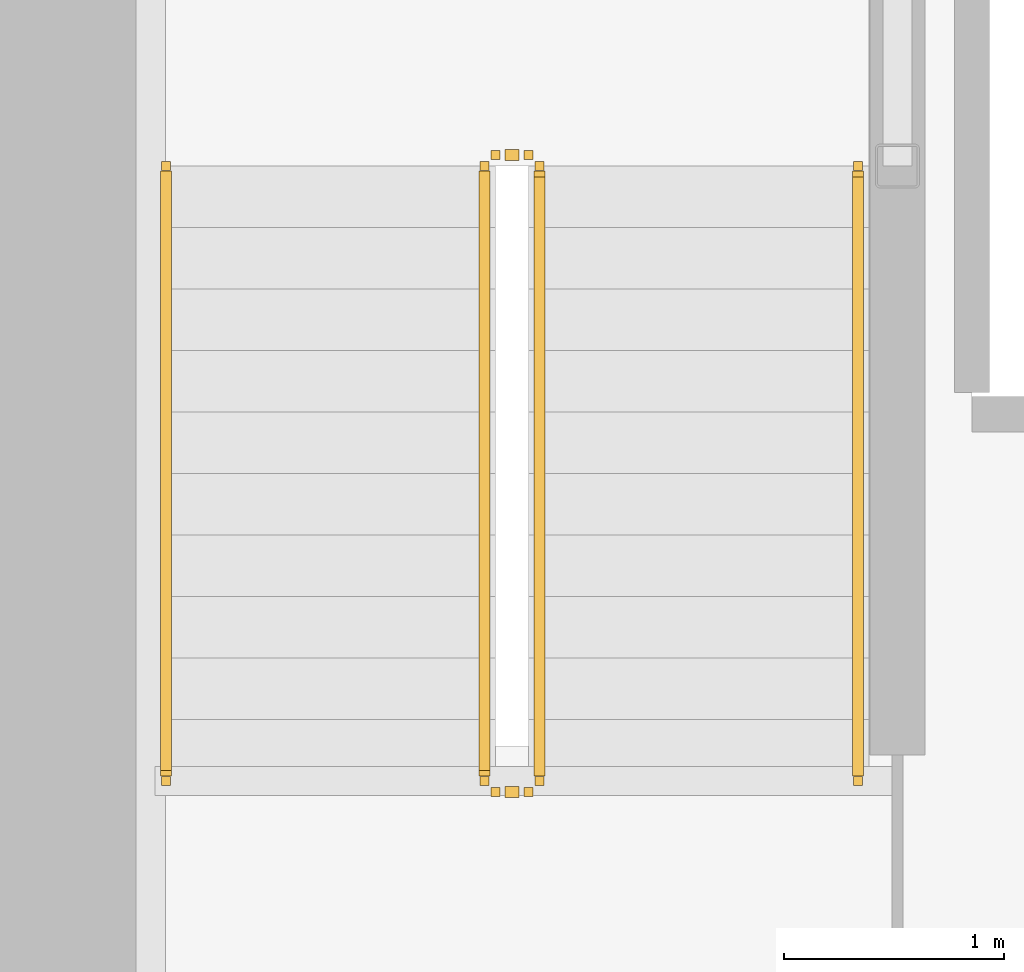
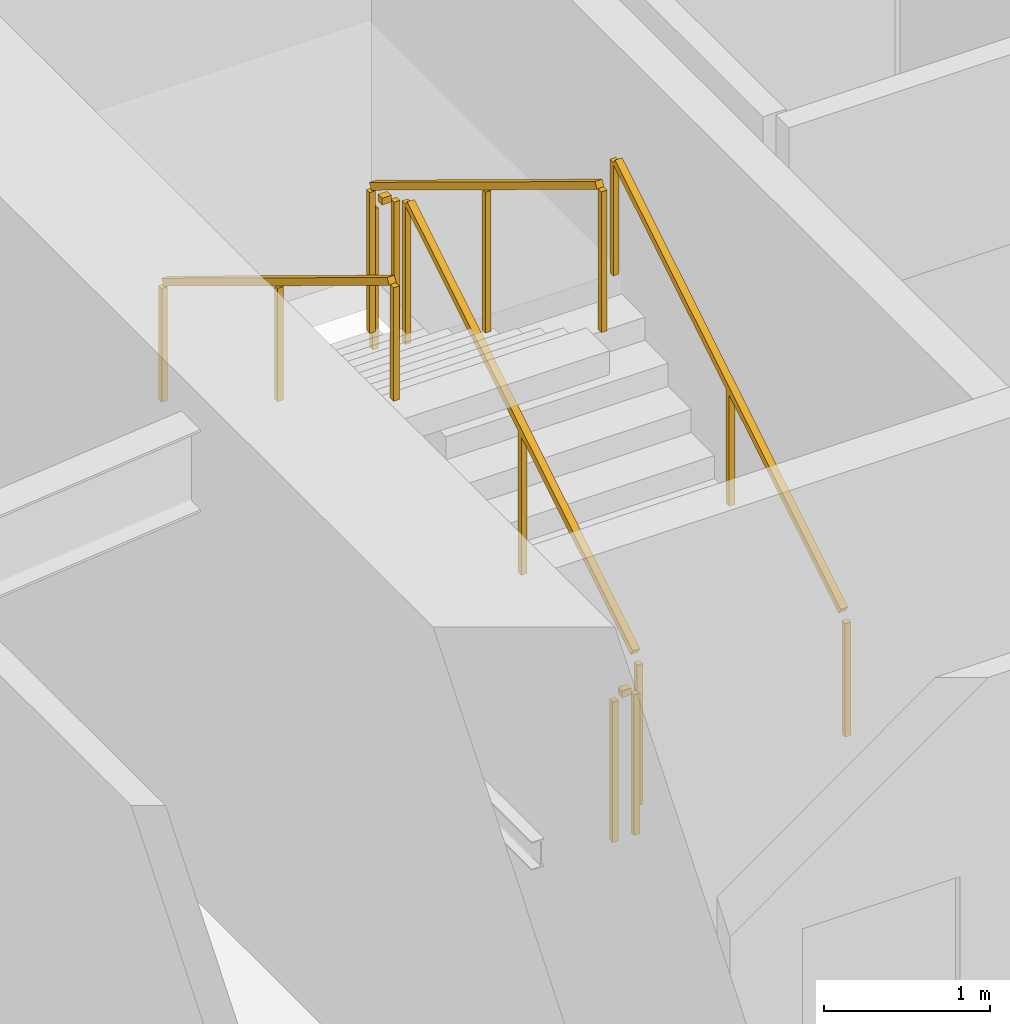
# One storey, part 26 of 31: 6 railings.
"""IFC4 building model written with IfcOpenShell, lengths in metres."""

import ifcopenshell
import ifcopenshell.guid

model = None  # the IFC model being written
_history = None  # IfcOwnerHistory: only IFC2X3 demands one
_inside = {}  # id of a spatial element -> (the spatial element, [elements in it])
_under = {}  # id of a project, library or spatial element -> (it, [spatial elements below it])
_declared = {}  # id of a project -> (the project, [libraries it declares])
_typed = {}  # id of a type object -> (the type object, [elements of that type])
_made_of = {}  # id of a material, layer set ... -> (it, [elements and type objects made of it])


def new_model(schema):
    """Start an empty IFC model of exactly this schema.

    Asked for "IFC4X3", IfcOpenShell would pick the latest addendum, in which some entities
    have other attributes; the version numbers below select the first issue.
    IFC2X3 requires an IfcOwnerHistory on every rooted entity: one is made here for all.
    """
    global model, _history
    if schema == "IFC4X3":
        model = ifcopenshell.file(schema_version=(4, 3, 0, 0))
    else:
        model = ifcopenshell.file(schema=schema)
    _inside.clear()
    _under.clear()
    _declared.clear()
    _typed.clear()
    _made_of.clear()
    _history = None
    if model.schema == "IFC2X3":
        org = make("IfcOrganization", Name="unknown")
        user = make(
            "IfcPersonAndOrganization",
            ThePerson=make("IfcPerson", FamilyName="unknown"),
            TheOrganization=org,
        )
        app = make(
            "IfcApplication",
            ApplicationDeveloper=org,
            Version="unknown",
            ApplicationFullName="unknown",
            ApplicationIdentifier="unknown",
        )
        _history = make(
            "IfcOwnerHistory",
            OwningUser=user,
            OwningApplication=app,
            ChangeAction="ADDED",
            CreationDate=0,
        )
    return model


def make(cls, **values):
    """One entity of the class cls with the attributes given. An attribute that is None is left unset."""
    return model.create_entity(
        cls, **{name: value for name, value in values.items() if value is not None}
    )


def rooted(cls, **values):
    """An entity with a GlobalId (a new one), such as an element, a storey or a relation."""
    return make(cls, GlobalId=ifcopenshell.guid.new(), OwnerHistory=_history, **values)


def si_unit(unit_type, name, prefix=None):
    """IfcSIUnit, for example si_unit("LENGTHUNIT", "METRE", prefix="MILLI")."""
    return make("IfcSIUnit", UnitType=unit_type, Prefix=prefix, Name=name)


def assignment(units):
    """IfcUnitAssignment: the units of a project."""
    return None if units is None else make("IfcUnitAssignment", Units=units)


def point(xyz):
    """IfcCartesianPoint."""
    return None if xyz is None else make("IfcCartesianPoint", Coordinates=xyz)


def direction(xyz):
    """IfcDirection."""
    return None if xyz is None else make("IfcDirection", DirectionRatios=xyz)


def frame(location, z_axis=None, x_axis=None):
    """IfcAxis2Placement3D, a coordinate frame: its origin and axes. An axis left out is left unset."""
    return make(
        "IfcAxis2Placement3D",
        Location=point(location),
        Axis=direction(z_axis),
        RefDirection=direction(x_axis),
    )


def frame_2d(location, x_axis=None):
    """IfcAxis2Placement2D, a coordinate frame in the plane: its origin and x axis."""
    return make(
        "IfcAxis2Placement2D", Location=point(location), RefDirection=direction(x_axis)
    )


def origin():
    """The frame at (0, 0, 0) with its axes left unset."""
    return frame((0.0, 0.0, 0.0))


def origin_2d():
    """The frame at (0, 0) in the plane with its x axis left unset."""
    return frame_2d((0.0, 0.0))


def place(relative_to, where):
    """IfcLocalPlacement: puts the frame where relative to a parent placement (None: the world)."""
    return make(
        "IfcLocalPlacement", PlacementRelTo=relative_to, RelativePlacement=where
    )


def context(
    kind, dimensions, precision=None, world=None, true_north=None, identifier=None
):
    """IfcGeometricRepresentationContext, for example the 3D "Model" context."""
    return make(
        "IfcGeometricRepresentationContext",
        ContextIdentifier=identifier,
        ContextType=kind,
        CoordinateSpaceDimension=dimensions,
        Precision=precision,
        WorldCoordinateSystem=world,
        TrueNorth=true_north,
    )


def subcontext(parent, identifier, kind, view, scale=None):
    """IfcGeometricRepresentationSubContext, for example "Body" below "Model"."""
    return make(
        "IfcGeometricRepresentationSubContext",
        ContextIdentifier=identifier,
        ContextType=kind,
        ParentContext=parent,
        TargetScale=scale,
        TargetView=view,
    )


def project(units=None, contexts=None):
    """IfcProject with its units and contexts."""
    return rooted(
        "IfcProject",
        Name="project",
        RepresentationContexts=contexts,
        UnitsInContext=assignment(units),
    )


def spatial(cls, under=None, at=None, **own):
    """A site, building, storey or space (cls), placed at a placement, below another one or the project."""
    s = rooted(cls, ObjectPlacement=at, **own)
    if under is not None:
        _under.setdefault(under.id(), (under, []))[1].append(s)
    return s


def profile(cls, at=None, kind="AREA", **sizes):
    """A parametric profile (cls). Its sizes go by their IFC names, for example OverallWidth=200.0."""
    return make(cls, ProfileType=kind, Position=at, **sizes)


def rectangle(**sizes):
    """IfcRectangleProfileDef."""
    return profile("IfcRectangleProfileDef", **sizes)


def extrude(swept, where, along, depth):
    """IfcExtrudedAreaSolid: the profile swept, set in the frame where, extruded along a direction by depth."""
    return make(
        "IfcExtrudedAreaSolid",
        SweptArea=swept,
        Position=where,
        ExtrudedDirection=direction(along),
        Depth=depth,
    )


def shape(context_of_items, identifier, shape_type, items):
    """IfcShapeRepresentation: the items that make up one representation, for example the "Body"."""
    return make(
        "IfcShapeRepresentation",
        ContextOfItems=context_of_items,
        RepresentationIdentifier=identifier,
        RepresentationType=shape_type,
        Items=items,
    )


def material(Name=None, Category=None):
    """IfcMaterial."""
    return make("IfcMaterial", Name=Name, Category=Category)


def made_of(thing, what):
    """Note that an element or type object is made of a material, layer set ...; save() writes the relation."""
    if what is not None:
        _made_of.setdefault(what.id(), (what, []))[1].append(thing)
    return thing


def type_object(cls, material=None, **own):
    """A type object (cls), such as IfcWallType, which elements share."""
    return made_of(rooted(cls, **own), material)


def element(
    cls,
    number,
    at=None,
    inside=None,
    cuts=None,
    type_object=None,
    material=None,
    context=None,
    identifier="Body",
    shape_type=None,
    held_by="IfcProductDefinitionShape",
    body=None,
    shapes=None,
    **own,
):
    """One element of the class cls, such as IfcWall. Its Tag is "e" and its number.

    at: its placement. inside: the storey or other place that contains it. cuts: it is an
    opening in that element (IfcRelVoidsElement). A single representation is given by context,
    identifier, shape_type and body (its items); several are given by shapes. held_by: the class
    of the entity that holds the representations. save() writes the other relations.
    """
    e = rooted(cls, Tag="e%d" % number, ObjectPlacement=at, **own)
    if body is not None:
        shapes = [shape(context, identifier, shape_type, body)]
    if shapes is not None:
        e.Representation = make(held_by, Representations=shapes)
    if inside is not None:
        _inside.setdefault(inside.id(), (inside, []))[1].append(e)
    if cuts is not None:
        rooted(
            "IfcRelVoidsElement", RelatingBuildingElement=cuts, RelatedOpeningElement=e
        )
    if type_object is not None:
        _typed.setdefault(type_object.id(), (type_object, []))[1].append(e)
    return made_of(e, material)


def aggregate(whole, parts):
    """IfcRelAggregates: a whole, such as a stair, and the parts it consists of."""
    return rooted("IfcRelAggregates", RelatingObject=whole, RelatedObjects=parts)


def save(model, path):
    """Write the relations noted so far, then the file.

    IfcRelAggregates (storeys below a building ...), IfcRelContainedInSpatialStructure (elements
    in a storey), IfcRelDefinesByType, IfcRelAssociatesMaterial and IfcRelDeclares: one each for
    every whole, place, type object, material and project.
    """
    for whole, parts in _under.values():
        aggregate(whole, parts)
    for where, things in _inside.values():
        rooted(
            "IfcRelContainedInSpatialStructure",
            RelatedElements=things,
            RelatingStructure=where,
        )
    for kind, things in _typed.values():
        rooted("IfcRelDefinesByType", RelatedObjects=things, RelatingType=kind)
    for what, things in _made_of.values():
        rooted("IfcRelAssociatesMaterial", RelatedObjects=things, RelatingMaterial=what)
    for by, libraries in _declared.values():
        rooted("IfcRelDeclares", RelatingContext=by, RelatedDefinitions=libraries)
    model.write(path)


model = new_model("IFC4")

# Units and contexts
model_context = context("Model", 3, precision=1e-05, world=origin(), true_north=direction((0.0, 1.0)))
body_context = subcontext(model_context, "Body", "Model", "MODEL_VIEW")
ifc_project = project(units=[si_unit("LENGTHUNIT", "METRE"), si_unit("AREAUNIT", "SQUARE_METRE"), si_unit("VOLUMEUNIT", "CUBIC_METRE"), si_unit("PLANEANGLEUNIT", "RADIAN"), si_unit("MASSUNIT", "GRAM", prefix="KILO")], contexts=[model_context])

# Site, building, storey
site_placement = place(None, origin())
site = spatial("IfcSite", under=ifc_project, at=site_placement, CompositionType="ELEMENT")
building_placement = place(site_placement, origin())
building = spatial("IfcBuilding", under=site, at=building_placement, Name="Kazma Halo Residences", CompositionType="ELEMENT")
storey_placement = place(building_placement, frame((0.0, 0.0, 33.89990234375)))
storey = spatial("IfcBuildingStorey", under=building, at=storey_placement, Name="L07", CompositionType="ELEMENT", Elevation=33.89990234375)

# Railings
ifc_material_1 = material(Name="Painted Steel S355", Category="steel")
railing_type_1 = type_object("IfcRailingType", Name="RLG-STAIR-GRD-1100", PredefinedType="GUARDRAIL", material=ifc_material_1)
railing_1_placement = place(storey_placement, frame((39.550048828125, 39.949951171875, 0.170654296875)))
element("IfcRailing", 1, at=railing_1_placement, inside=storey, type_object=railing_type_1, Name="L07 ST-01 stair guard 1", PredefinedType="GUARDRAIL", context=body_context, shape_type="SweptSolid", body=[
    extrude(rectangle(XDim=0.050048828125, YDim=0.050048828125, at=origin_2d()), frame((0.0, 0.036376953125, 1.09716796875), z_axis=(0.0, 0.854202870247, 0.519939858505), x_axis=(-1.0, 0.0, 0.0)), (0.0, 0.0, 1.0), 3.19287109375),
    extrude(rectangle(XDim=0.0400390625, YDim=0.0400390625, at=origin_2d()), origin(), (0.0, 0.0, 1.0), 1.0380859375),
    extrude(rectangle(XDim=0.0400390625, YDim=0.0400390625, at=origin_2d()), frame((0.0, 1.39990234375, 0.85205078125)), (0.0, 0.0, 1.0), 1.0380859375),
    extrude(rectangle(XDim=0.0400390625, YDim=0.0400390625, at=origin_2d()), frame((0.0, 2.800048828125, 1.704345703125)), (0.0, 0.0, 1.0), 1.0380859375),
])
railing_2_placement = place(storey_placement, frame((39.5, 42.800048828125, 1.875)))
element("IfcRailing", 2, at=railing_2_placement, inside=storey, type_object=railing_type_1, Name="L07 ST-01 stair guard 2", PredefinedType="GUARDRAIL", context=body_context, shape_type="SweptSolid", body=[
    extrude(rectangle(XDim=0.050048828125, YDim=0.050048828125, at=origin_2d()), frame((-0.04248046875, 0.0, 1.0751953125), z_axis=(-1.0, 0.0, 0.0), x_axis=(0.0, -1.0, 0.0)), (0.0, 0.0, 1.0), 0.06494140625),
    extrude(rectangle(XDim=0.0400390625, YDim=0.0400390625, at=origin_2d()), origin(), (0.0, 0.0, 1.0), 1.0380859375),
    extrude(rectangle(XDim=0.0400390625, YDim=0.0400390625, at=origin_2d()), frame((-0.14990234375, 0.0, 0.0)), (0.0, 0.0, 1.0), 1.0380859375),
])
railing_3_placement = place(storey_placement, frame((39.300048828125, 42.75, 2.045654296875)))
element("IfcRailing", 3, at=railing_3_placement, inside=storey, type_object=railing_type_1, Name="L07 ST-01 stair guard 3", PredefinedType="GUARDRAIL", context=body_context, shape_type="SweptSolid", body=[
    extrude(rectangle(XDim=0.050048828125, YDim=0.050048828125, at=origin_2d()), frame((0.0, -0.036376953125, 1.09716796875), z_axis=(0.0, -0.854202870247, 0.519939858505), x_axis=(1.0, 0.0, 0.0)), (0.0, 0.0, 1.0), 3.19287109375),
    extrude(rectangle(XDim=0.0400390625, YDim=0.0400390625, at=origin_2d()), origin(), (0.0, 0.0, 1.0), 1.0380859375),
    extrude(rectangle(XDim=0.0400390625, YDim=0.0400390625, at=origin_2d()), frame((0.0, -1.39990234375, 0.85205078125)), (0.0, 0.0, 1.0), 1.0380859375),
    extrude(rectangle(XDim=0.0400390625, YDim=0.0400390625, at=origin_2d()), frame((0.0, -2.800048828125, 1.704345703125)), (0.0, 0.0, 1.0), 1.0380859375),
])
railing_4_placement = place(storey_placement, frame((39.5, 39.89990234375, 0.0)))
element("IfcRailing", 4, at=railing_4_placement, inside=storey, type_object=railing_type_1, Name="L07 ST-01 stair guard 4", PredefinedType="GUARDRAIL", context=body_context, shape_type="SweptSolid", body=[
    extrude(rectangle(XDim=0.050048828125, YDim=0.050048828125, at=origin_2d()), frame((-0.04248046875, 0.0, 1.0751953125), z_axis=(-1.0, 0.0, 0.0), x_axis=(0.0, -1.0, 0.0)), (0.0, 0.0, 1.0), 0.06494140625),
    extrude(rectangle(XDim=0.0400390625, YDim=0.0400390625, at=origin_2d()), origin(), (0.0, 0.0, 1.0), 1.0380859375),
    extrude(rectangle(XDim=0.0400390625, YDim=0.0400390625, at=origin_2d()), frame((-0.14990234375, 0.0, 0.0)), (0.0, 0.0, 1.0), 1.0380859375),
])
ifc_material_2 = material(Name="Brushed Stainless Steel", Category="steel")
railing_type_2 = type_object("IfcRailingType", Name="RLG-STAIR-HND-900", PredefinedType="HANDRAIL", material=ifc_material_2)
railing_5_placement = place(storey_placement, frame((41.0, 39.949951171875, 0.170654296875)))
element("IfcRailing", 5, at=railing_5_placement, inside=storey, type_object=railing_type_2, Name="L07 ST-01 stair handrail 1", PredefinedType="HANDRAIL", context=body_context, shape_type="SweptSolid", body=[
    extrude(rectangle(XDim=0.050048828125, YDim=0.050048828125, at=origin_2d()), frame((0.0, 0.036376953125, 0.89697265625), z_axis=(0.0, 0.854202870247, 0.519939858505), x_axis=(-1.0, 0.0, 0.0)), (0.0, 0.0, 1.0), 3.19287109375),
    extrude(rectangle(XDim=0.0400390625, YDim=0.0400390625, at=origin_2d()), origin(), (0.0, 0.0, 1.0), 0.837890625),
    extrude(rectangle(XDim=0.0400390625, YDim=0.0400390625, at=origin_2d()), frame((0.0, 1.39990234375, 0.85205078125)), (0.0, 0.0, 1.0), 0.837890625),
    extrude(rectangle(XDim=0.0400390625, YDim=0.0400390625, at=origin_2d()), frame((0.0, 2.800048828125, 1.704345703125)), (0.0, 0.0, 1.0), 0.837890625),
])
railing_6_placement = place(storey_placement, frame((37.85009765625, 42.75, 2.045654296875)))
element("IfcRailing", 6, at=railing_6_placement, inside=storey, type_object=railing_type_2, Name="L07 ST-01 stair handrail 2", PredefinedType="HANDRAIL", context=body_context, shape_type="SweptSolid", body=[
    extrude(rectangle(XDim=0.050048828125, YDim=0.050048828125, at=origin_2d()), frame((0.0, -0.036376953125, 0.89697265625), z_axis=(0.0, -0.854202870247, 0.519939858505), x_axis=(1.0, 0.0, 0.0)), (0.0, 0.0, 1.0), 3.19287109375),
    extrude(rectangle(XDim=0.0400390625, YDim=0.0400390625, at=origin_2d()), origin(), (0.0, 0.0, 1.0), 0.837890625),
    extrude(rectangle(XDim=0.0400390625, YDim=0.0400390625, at=origin_2d()), frame((0.0, -1.39990234375, 0.85205078125)), (0.0, 0.0, 1.0), 0.837890625),
    extrude(rectangle(XDim=0.0400390625, YDim=0.0400390625, at=origin_2d()), frame((0.0, -2.800048828125, 1.704345703125)), (0.0, 0.0, 1.0), 0.837890625),
])

save(model, "model.ifc")
